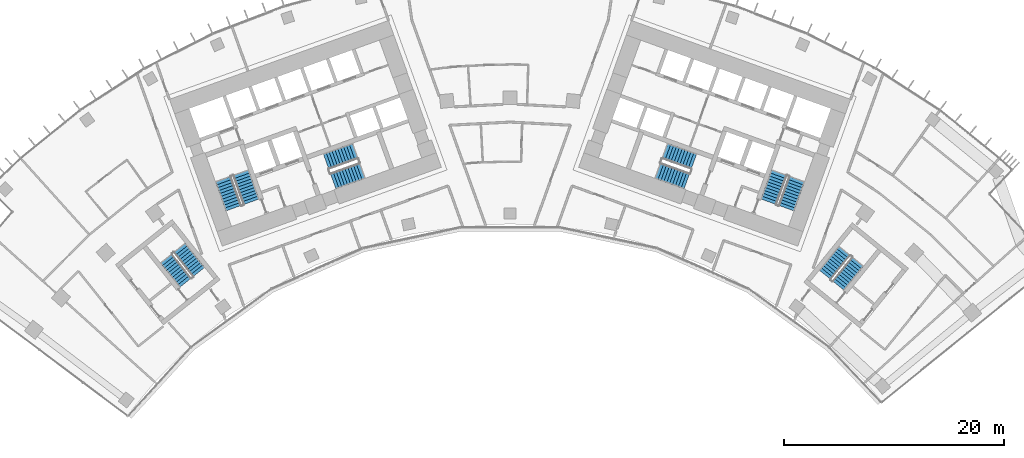
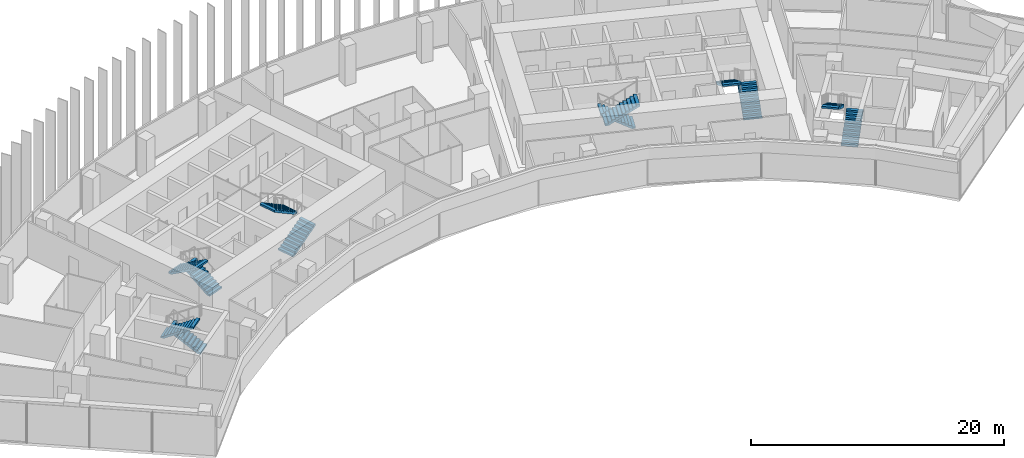
# One storey, part 21 of 23: 12 stair flights, 6 elements without a shape of their own.
"""IFC4 building model written with IfcOpenShell, lengths in metres."""

from ifc_helpers import new_model, si_unit, direction, frame, origin, place, context, subcontext, project, spatial, polyline, outline, extrude, material, type_object, element, aggregate, save


model = new_model("IFC4")

# Units and contexts
model_context = context("Model", 3, precision=1e-05, world=origin(), true_north=direction((0.0, 1.0)))
body_context = subcontext(model_context, "Body", "Model", "MODEL_VIEW")
ifc_project = project(units=[si_unit("LENGTHUNIT", "METRE"), si_unit("AREAUNIT", "SQUARE_METRE"), si_unit("VOLUMEUNIT", "CUBIC_METRE"), si_unit("PLANEANGLEUNIT", "RADIAN"), si_unit("MASSUNIT", "GRAM", prefix="KILO")], contexts=[model_context])

# Site, building, storey
site_placement = place(None, origin())
site = spatial("IfcSite", under=ifc_project, at=site_placement, CompositionType="ELEMENT")
building_placement = place(site_placement, origin())
building = spatial("IfcBuilding", under=site, at=building_placement, Name="Stone Belt Terrace Tower", CompositionType="ELEMENT")
storey_placement = place(building_placement, frame((0.0, 0.0, 166.800048828125)))
storey = spatial("IfcBuildingStorey", under=building, at=storey_placement, Name="L40", CompositionType="ELEMENT", Elevation=166.800048828125)

# Stair, stair flights
ifc_material = material(Name="Concrete B40", Category="concrete")
stair_type = type_object("IfcStairType", Name="Exit stair 1500", PredefinedType="HALF_TURN_STAIR", material=ifc_material)
stair_1_placement = place(storey_placement, origin())
stair_1 = element("IfcStair", 1, at=stair_1_placement, inside=storey, type_object=stair_type, Name="L40 Exit stair 1 core A", PredefinedType="HALF_TURN_STAIR")
stair_flight_type = type_object("IfcStairFlightType", Name="Stair flight 1500", PredefinedType="STRAIGHT", material=ifc_material)
stair_flight_1_placement = place(storey_placement, frame((-23.55322265625, 45.51318359375, 0.0), z_axis=(0.0, 0.0, 1.0), x_axis=(-0.338624396177, 0.940921632398, 0.0)))
stair_flight_1 = element("IfcStairFlight", 2, at=stair_flight_1_placement, type_object=stair_flight_type, Name="ST1A flight 1", NumberOfRisers=11, NumberOfTreads=10, PredefinedType="STRAIGHT", RiserHeight=0.172727273, TreadLength=0.28, context=body_context, shape_type="SweptSolid", body=[
    extrude(outline(polyline([(0.0, 0.0), (0.0, 0.172607421875), (0.280029296875, 0.172607421875), (0.280029296875, 0.345458984375), (0.56005859375, 0.345458984375), (0.56005859375, 0.51806640625), (0.840087890625, 0.51806640625), (0.840087890625, 0.69091796875), (1.1201171875, 0.69091796875), (1.1201171875, 0.863525390625), (1.39990234375, 0.863525390625), (1.39990234375, 1.036376953125), (1.679931640625, 1.036376953125), (1.679931640625, 1.208984375), (1.9599609375, 1.208984375), (1.9599609375, 1.3818359375), (2.239990234375, 1.3818359375), (2.239990234375, 1.554443359375), (2.52001953125, 1.554443359375), (2.52001953125, 1.727294921875), (2.800048828125, 1.727294921875), (2.800048828125, 1.89990234375), (2.800048828125, 1.551025390625), (0.285400390625, 0.0), (0.0, 0.0)])), frame((0.0, 0.75, 0.0), z_axis=(0.0, -1.0, 0.0), x_axis=(1.0, 0.0, 0.0)), (0.0, 0.0, 1.0), 1.5),
])
stair_flight_2_placement = place(storey_placement, frame((-26.10107421875, 47.572021484375, 1.89990234375), z_axis=(0.0, 0.0, 1.0), x_axis=(0.338624396177, -0.940921632398, 0.0)))
stair_flight_2 = element("IfcStairFlight", 3, at=stair_flight_2_placement, type_object=stair_flight_type, Name="ST1A flight 2", NumberOfRisers=11, NumberOfTreads=10, PredefinedType="STRAIGHT", RiserHeight=0.172727273, TreadLength=0.28, context=body_context, shape_type="SweptSolid", body=[
    extrude(outline(polyline([(0.0, 0.0), (0.0, 0.172607421875), (0.280029296875, 0.172607421875), (0.280029296875, 0.345458984375), (0.56005859375, 0.345458984375), (0.56005859375, 0.51806640625), (0.840087890625, 0.51806640625), (0.840087890625, 0.69091796875), (1.1201171875, 0.69091796875), (1.1201171875, 0.863525390625), (1.39990234375, 0.863525390625), (1.39990234375, 1.036376953125), (1.679931640625, 1.036376953125), (1.679931640625, 1.208984375), (1.9599609375, 1.208984375), (1.9599609375, 1.3818359375), (2.239990234375, 1.3818359375), (2.239990234375, 1.554443359375), (2.52001953125, 1.554443359375), (2.52001953125, 1.727294921875), (2.800048828125, 1.727294921875), (2.800048828125, 1.89990234375), (2.800048828125, 1.551025390625), (0.285400390625, 0.0), (0.0, 0.0)])), frame((0.0, 0.75, 0.0), z_axis=(0.0, -1.0, 0.0), x_axis=(1.0, 0.0, 0.0)), (0.0, 0.0, 1.0), 1.5),
])
aggregate(stair_1, [stair_flight_1, stair_flight_2])

stair_2_placement = place(storey_placement, origin())
stair_2 = element("IfcStair", 4, at=stair_2_placement, inside=storey, type_object=stair_type, Name="L40 Exit stair 2 core A", PredefinedType="HALF_TURN_STAIR")
stair_flight_3_placement = place(storey_placement, frame((-16.101318359375, 47.39794921875, 0.0), z_axis=(0.0, 0.0, 1.0), x_axis=(0.940921632398, 0.338624396177, 0.0)))
stair_flight_3 = element("IfcStairFlight", 5, at=stair_flight_3_placement, type_object=stair_flight_type, Name="ST2A flight 1", NumberOfRisers=11, NumberOfTreads=10, PredefinedType="STRAIGHT", RiserHeight=0.172727273, TreadLength=0.28, context=body_context, shape_type="SweptSolid", body=[
    extrude(outline(polyline([(0.0, 0.0), (0.0, 0.172607421875), (0.280029296875, 0.172607421875), (0.280029296875, 0.345458984375), (0.56005859375, 0.345458984375), (0.56005859375, 0.51806640625), (0.840087890625, 0.51806640625), (0.840087890625, 0.69091796875), (1.1201171875, 0.69091796875), (1.1201171875, 0.863525390625), (1.39990234375, 0.863525390625), (1.39990234375, 1.036376953125), (1.679931640625, 1.036376953125), (1.679931640625, 1.208984375), (1.9599609375, 1.208984375), (1.9599609375, 1.3818359375), (2.239990234375, 1.3818359375), (2.239990234375, 1.554443359375), (2.52001953125, 1.554443359375), (2.52001953125, 1.727294921875), (2.800048828125, 1.727294921875), (2.800048828125, 1.89990234375), (2.800048828125, 1.551025390625), (0.285400390625, 0.0), (0.0, 0.0)])), frame((0.0, 0.75, 0.0), z_axis=(0.0, -1.0, 0.0), x_axis=(1.0, 0.0, 0.0)), (0.0, 0.0, 1.0), 1.5),
])
stair_flight_4_placement = place(storey_placement, frame((-14.110107421875, 50.1337890625, 1.89990234375), z_axis=(0.0, 0.0, 1.0), x_axis=(-0.940921632398, -0.338624396177, 0.0)))
stair_flight_4 = element("IfcStairFlight", 6, at=stair_flight_4_placement, type_object=stair_flight_type, Name="ST2A flight 2", NumberOfRisers=11, NumberOfTreads=10, PredefinedType="STRAIGHT", RiserHeight=0.172727273, TreadLength=0.28, context=body_context, shape_type="SweptSolid", body=[
    extrude(outline(polyline([(0.0, 0.0), (0.0, 0.172607421875), (0.280029296875, 0.172607421875), (0.280029296875, 0.345458984375), (0.56005859375, 0.345458984375), (0.56005859375, 0.51806640625), (0.840087890625, 0.51806640625), (0.840087890625, 0.69091796875), (1.1201171875, 0.69091796875), (1.1201171875, 0.863525390625), (1.39990234375, 0.863525390625), (1.39990234375, 1.036376953125), (1.679931640625, 1.036376953125), (1.679931640625, 1.208984375), (1.9599609375, 1.208984375), (1.9599609375, 1.3818359375), (2.239990234375, 1.3818359375), (2.239990234375, 1.554443359375), (2.52001953125, 1.554443359375), (2.52001953125, 1.727294921875), (2.800048828125, 1.727294921875), (2.800048828125, 1.89990234375), (2.800048828125, 1.551025390625), (0.285400390625, 0.0), (0.0, 0.0)])), frame((0.0, 0.75, 0.0), z_axis=(0.0, -1.0, 0.0), x_axis=(1.0, 0.0, 0.0)), (0.0, 0.0, 1.0), 1.5),
])
aggregate(stair_2, [stair_flight_3, stair_flight_4])

stair_3_placement = place(storey_placement, origin())
stair_3 = element("IfcStair", 7, at=stair_3_placement, inside=storey, type_object=stair_type, Name="L40 Exit stair 1 core B", PredefinedType="HALF_TURN_STAIR")
stair_flight_5_placement = place(storey_placement, frame((25.15283203125, 44.9375, 0.0), z_axis=(0.0, 0.0, 1.0), x_axis=(0.338624396177, 0.940921632398, 0.0)))
stair_flight_5 = element("IfcStairFlight", 8, at=stair_flight_5_placement, type_object=stair_flight_type, Name="ST1B flight 1", NumberOfRisers=11, NumberOfTreads=10, PredefinedType="STRAIGHT", RiserHeight=0.172727273, TreadLength=0.28, context=body_context, shape_type="SweptSolid", body=[
    extrude(outline(polyline([(0.0, 0.0), (0.0, 0.172607421875), (0.280029296875, 0.172607421875), (0.280029296875, 0.345458984375), (0.56005859375, 0.345458984375), (0.56005859375, 0.51806640625), (0.840087890625, 0.51806640625), (0.840087890625, 0.69091796875), (1.1201171875, 0.69091796875), (1.1201171875, 0.863525390625), (1.39990234375, 0.863525390625), (1.39990234375, 1.036376953125), (1.679931640625, 1.036376953125), (1.679931640625, 1.208984375), (1.9599609375, 1.208984375), (1.9599609375, 1.3818359375), (2.239990234375, 1.3818359375), (2.239990234375, 1.554443359375), (2.52001953125, 1.554443359375), (2.52001953125, 1.727294921875), (2.800048828125, 1.727294921875), (2.800048828125, 1.89990234375), (2.800048828125, 1.551025390625), (0.285400390625, 0.0), (0.0, 0.0)])), frame((0.0, 0.75, 0.0), z_axis=(0.0, -1.0, 0.0), x_axis=(1.0, 0.0, 0.0)), (0.0, 0.0, 1.0), 1.5),
])
stair_flight_6_placement = place(storey_placement, frame((24.50146484375, 48.147705078125, 1.89990234375), z_axis=(0.0, 0.0, 1.0), x_axis=(-0.338624396177, -0.940921632398, 0.0)))
stair_flight_6 = element("IfcStairFlight", 9, at=stair_flight_6_placement, type_object=stair_flight_type, Name="ST1B flight 2", NumberOfRisers=11, NumberOfTreads=10, PredefinedType="STRAIGHT", RiserHeight=0.172727273, TreadLength=0.28, context=body_context, shape_type="SweptSolid", body=[
    extrude(outline(polyline([(0.0, 0.0), (0.0, 0.172607421875), (0.280029296875, 0.172607421875), (0.280029296875, 0.345458984375), (0.56005859375, 0.345458984375), (0.56005859375, 0.51806640625), (0.840087890625, 0.51806640625), (0.840087890625, 0.69091796875), (1.1201171875, 0.69091796875), (1.1201171875, 0.863525390625), (1.39990234375, 0.863525390625), (1.39990234375, 1.036376953125), (1.679931640625, 1.036376953125), (1.679931640625, 1.208984375), (1.9599609375, 1.208984375), (1.9599609375, 1.3818359375), (2.239990234375, 1.3818359375), (2.239990234375, 1.554443359375), (2.52001953125, 1.554443359375), (2.52001953125, 1.727294921875), (2.800048828125, 1.727294921875), (2.800048828125, 1.89990234375), (2.800048828125, 1.551025390625), (0.285400390625, 0.0), (0.0, 0.0)])), frame((0.0, 0.75, 0.0), z_axis=(0.0, -1.0, 0.0), x_axis=(1.0, 0.0, 0.0)), (0.0, 0.0, 1.0), 1.5),
])
aggregate(stair_3, [stair_flight_5, stair_flight_6])

stair_4_placement = place(storey_placement, origin())
stair_4 = element("IfcStair", 10, at=stair_4_placement, inside=storey, type_object=stair_type, Name="L40 Exit stair 2 core B", PredefinedType="HALF_TURN_STAIR")
stair_flight_7_placement = place(storey_placement, frame((16.74462890625, 49.185546875, 0.0), z_axis=(0.0, 0.0, 1.0), x_axis=(-0.940921632398, 0.338624396177, 0.0)))
stair_flight_7 = element("IfcStairFlight", 11, at=stair_flight_7_placement, type_object=stair_flight_type, Name="ST2B flight 1", NumberOfRisers=11, NumberOfTreads=10, PredefinedType="STRAIGHT", RiserHeight=0.172727273, TreadLength=0.28, context=body_context, shape_type="SweptSolid", body=[
    extrude(outline(polyline([(0.0, 0.0), (0.0, 0.172607421875), (0.280029296875, 0.172607421875), (0.280029296875, 0.345458984375), (0.56005859375, 0.345458984375), (0.56005859375, 0.51806640625), (0.840087890625, 0.51806640625), (0.840087890625, 0.69091796875), (1.1201171875, 0.69091796875), (1.1201171875, 0.863525390625), (1.39990234375, 0.863525390625), (1.39990234375, 1.036376953125), (1.679931640625, 1.036376953125), (1.679931640625, 1.208984375), (1.9599609375, 1.208984375), (1.9599609375, 1.3818359375), (2.239990234375, 1.3818359375), (2.239990234375, 1.554443359375), (2.52001953125, 1.554443359375), (2.52001953125, 1.727294921875), (2.800048828125, 1.727294921875), (2.800048828125, 1.89990234375), (2.800048828125, 1.551025390625), (0.285400390625, 0.0), (0.0, 0.0)])), frame((0.0, 0.75, 0.0), z_axis=(0.0, -1.0, 0.0), x_axis=(1.0, 0.0, 0.0)), (0.0, 0.0, 1.0), 1.5),
])
stair_flight_8_placement = place(storey_placement, frame((13.466796875, 48.345947265625, 1.89990234375), z_axis=(0.0, 0.0, 1.0), x_axis=(0.940921632398, -0.338624396177, 0.0)))
stair_flight_8 = element("IfcStairFlight", 12, at=stair_flight_8_placement, type_object=stair_flight_type, Name="ST2B flight 2", NumberOfRisers=11, NumberOfTreads=10, PredefinedType="STRAIGHT", RiserHeight=0.172727273, TreadLength=0.28, context=body_context, shape_type="SweptSolid", body=[
    extrude(outline(polyline([(0.0, 0.0), (0.0, 0.172607421875), (0.280029296875, 0.172607421875), (0.280029296875, 0.345458984375), (0.56005859375, 0.345458984375), (0.56005859375, 0.51806640625), (0.840087890625, 0.51806640625), (0.840087890625, 0.69091796875), (1.1201171875, 0.69091796875), (1.1201171875, 0.863525390625), (1.39990234375, 0.863525390625), (1.39990234375, 1.036376953125), (1.679931640625, 1.036376953125), (1.679931640625, 1.208984375), (1.9599609375, 1.208984375), (1.9599609375, 1.3818359375), (2.239990234375, 1.3818359375), (2.239990234375, 1.554443359375), (2.52001953125, 1.554443359375), (2.52001953125, 1.727294921875), (2.800048828125, 1.727294921875), (2.800048828125, 1.89990234375), (2.800048828125, 1.551025390625), (0.285400390625, 0.0), (0.0, 0.0)])), frame((0.0, 0.75, 0.0), z_axis=(0.0, -1.0, 0.0), x_axis=(1.0, 0.0, 0.0)), (0.0, 0.0, 1.0), 1.5),
])
aggregate(stair_4, [stair_flight_7, stair_flight_8])

stair_5_placement = place(storey_placement, origin())
stair_5 = element("IfcStair", 13, at=stair_5_placement, inside=storey, type_object=stair_type, Name="L40 Exit stair 3A", PredefinedType="HALF_TURN_STAIR")
stair_flight_9_placement = place(storey_placement, frame((-28.325439453125, 39.1240234375, 0.0), z_axis=(0.0, 0.0, 1.0), x_axis=(-0.623121363691, 0.782125160132, 0.0)))
stair_flight_9 = element("IfcStairFlight", 14, at=stair_flight_9_placement, type_object=stair_flight_type, Name="ST3A flight 1", NumberOfRisers=11, NumberOfTreads=10, PredefinedType="STRAIGHT", RiserHeight=0.172727273, TreadLength=0.28, context=body_context, shape_type="SweptSolid", body=[
    extrude(outline(polyline([(0.0, 0.0), (0.0, 0.172607421875), (0.280029296875, 0.172607421875), (0.280029296875, 0.345458984375), (0.56005859375, 0.345458984375), (0.56005859375, 0.51806640625), (0.840087890625, 0.51806640625), (0.840087890625, 0.69091796875), (1.1201171875, 0.69091796875), (1.1201171875, 0.863525390625), (1.39990234375, 0.863525390625), (1.39990234375, 1.036376953125), (1.679931640625, 1.036376953125), (1.679931640625, 1.208984375), (1.9599609375, 1.208984375), (1.9599609375, 1.3818359375), (2.239990234375, 1.3818359375), (2.239990234375, 1.554443359375), (2.52001953125, 1.554443359375), (2.52001953125, 1.727294921875), (2.800048828125, 1.727294921875), (2.800048828125, 1.89990234375), (2.800048828125, 1.551025390625), (0.285400390625, 0.0), (0.0, 0.0)])), frame((0.0, 0.675048828125, 0.0), z_axis=(0.0, -1.0, 0.0), x_axis=(1.0, 0.0, 0.0)), (0.0, 0.0, 1.0), 1.35009765625),
])
stair_flight_10_placement = place(storey_placement, frame((-31.282470703125, 40.34814453125, 1.89990234375), z_axis=(0.0, 0.0, 1.0), x_axis=(0.623121363691, -0.782125160132, 0.0)))
stair_flight_10 = element("IfcStairFlight", 15, at=stair_flight_10_placement, type_object=stair_flight_type, Name="ST3A flight 2", NumberOfRisers=11, NumberOfTreads=10, PredefinedType="STRAIGHT", RiserHeight=0.172727273, TreadLength=0.28, context=body_context, shape_type="SweptSolid", body=[
    extrude(outline(polyline([(0.0, 0.0), (0.0, 0.172607421875), (0.280029296875, 0.172607421875), (0.280029296875, 0.345458984375), (0.56005859375, 0.345458984375), (0.56005859375, 0.51806640625), (0.840087890625, 0.51806640625), (0.840087890625, 0.69091796875), (1.1201171875, 0.69091796875), (1.1201171875, 0.863525390625), (1.39990234375, 0.863525390625), (1.39990234375, 1.036376953125), (1.679931640625, 1.036376953125), (1.679931640625, 1.208984375), (1.9599609375, 1.208984375), (1.9599609375, 1.3818359375), (2.239990234375, 1.3818359375), (2.239990234375, 1.554443359375), (2.52001953125, 1.554443359375), (2.52001953125, 1.727294921875), (2.800048828125, 1.727294921875), (2.800048828125, 1.89990234375), (2.800048828125, 1.551025390625), (0.285400390625, 0.0), (0.0, 0.0)])), frame((0.0, 0.675048828125, 0.0), z_axis=(0.0, -1.0, 0.0), x_axis=(1.0, 0.0, 0.0)), (0.0, 0.0, 1.0), 1.35009765625),
])
aggregate(stair_5, [stair_flight_9, stair_flight_10])

stair_6_placement = place(storey_placement, origin())
stair_6 = element("IfcStair", 16, at=stair_6_placement, inside=storey, type_object=stair_type, Name="L40 Exit stair 3B", PredefinedType="HALF_TURN_STAIR")
stair_flight_11_placement = place(storey_placement, frame((29.88330078125, 37.887939453125, 0.0), z_axis=(0.0, 0.0, 1.0), x_axis=(0.630205749599, 0.776428176441, 0.0)))
stair_flight_11 = element("IfcStairFlight", 17, at=stair_flight_11_placement, type_object=stair_flight_type, Name="ST3B flight 1", NumberOfRisers=11, NumberOfTreads=10, PredefinedType="STRAIGHT", RiserHeight=0.172727273, TreadLength=0.28, context=body_context, shape_type="SweptSolid", body=[
    extrude(outline(polyline([(0.0, 0.0), (0.0, 0.172607421875), (0.280029296875, 0.172607421875), (0.280029296875, 0.345458984375), (0.56005859375, 0.345458984375), (0.56005859375, 0.51806640625), (0.840087890625, 0.51806640625), (0.840087890625, 0.69091796875), (1.1201171875, 0.69091796875), (1.1201171875, 0.863525390625), (1.39990234375, 0.863525390625), (1.39990234375, 1.036376953125), (1.679931640625, 1.036376953125), (1.679931640625, 1.208984375), (1.9599609375, 1.208984375), (1.9599609375, 1.3818359375), (2.239990234375, 1.3818359375), (2.239990234375, 1.554443359375), (2.52001953125, 1.554443359375), (2.52001953125, 1.727294921875), (2.800048828125, 1.727294921875), (2.800048828125, 1.89990234375), (2.800048828125, 1.551025390625), (0.285400390625, 0.0), (0.0, 0.0)])), frame((0.0, 0.675048828125, 0.0), z_axis=(0.0, -1.0, 0.0), x_axis=(1.0, 0.0, 0.0)), (0.0, 0.0, 1.0), 1.35009765625),
])
stair_flight_12_placement = place(storey_placement, frame((30.4443359375, 41.038818359375, 1.89990234375), z_axis=(0.0, 0.0, 1.0), x_axis=(-0.630205749599, -0.776428176441, 0.0)))
stair_flight_12 = element("IfcStairFlight", 18, at=stair_flight_12_placement, type_object=stair_flight_type, Name="ST3B flight 2", NumberOfRisers=11, NumberOfTreads=10, PredefinedType="STRAIGHT", RiserHeight=0.172727273, TreadLength=0.28, context=body_context, shape_type="SweptSolid", body=[
    extrude(outline(polyline([(0.0, 0.0), (0.0, 0.172607421875), (0.280029296875, 0.172607421875), (0.280029296875, 0.345458984375), (0.56005859375, 0.345458984375), (0.56005859375, 0.51806640625), (0.840087890625, 0.51806640625), (0.840087890625, 0.69091796875), (1.1201171875, 0.69091796875), (1.1201171875, 0.863525390625), (1.39990234375, 0.863525390625), (1.39990234375, 1.036376953125), (1.679931640625, 1.036376953125), (1.679931640625, 1.208984375), (1.9599609375, 1.208984375), (1.9599609375, 1.3818359375), (2.239990234375, 1.3818359375), (2.239990234375, 1.554443359375), (2.52001953125, 1.554443359375), (2.52001953125, 1.727294921875), (2.800048828125, 1.727294921875), (2.800048828125, 1.89990234375), (2.800048828125, 1.551025390625), (0.285400390625, 0.0), (0.0, 0.0)])), frame((0.0, 0.675048828125, 0.0), z_axis=(0.0, -1.0, 0.0), x_axis=(1.0, 0.0, 0.0)), (0.0, 0.0, 1.0), 1.35009765625),
])
aggregate(stair_6, [stair_flight_11, stair_flight_12])

save(model, "model.ifc")
